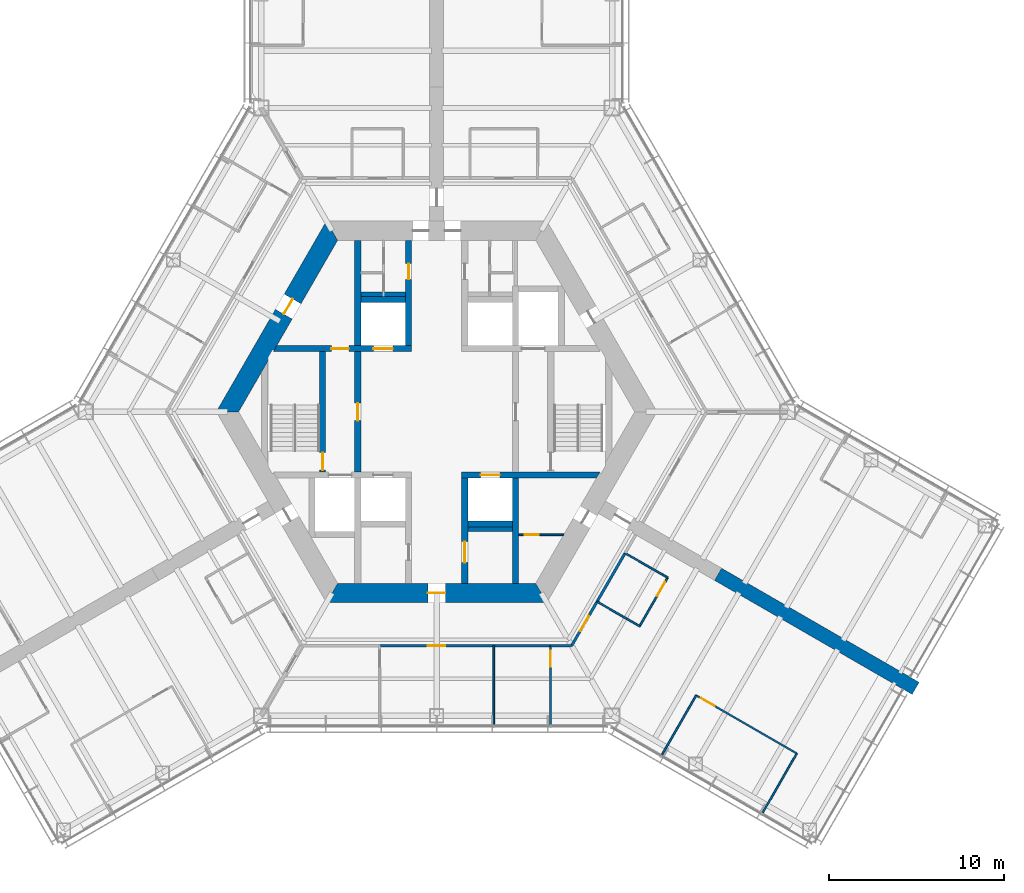
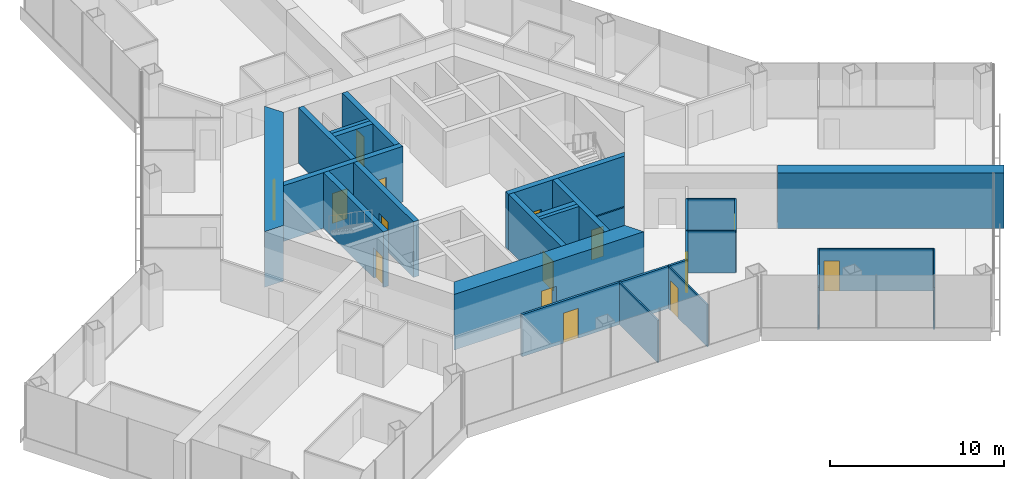
# One storey, part 13 of 19: 29 walls, 15 doors, 15 openings.
"""IFC4 building model written with IfcOpenShell, lengths in metres."""

from ifc_helpers import new_model, si_unit, direction, frame, frame_2d, origin, place, context, subcontext, project, spatial, polyline, rectangle, outline, extrude, material, layer, layer_set, type_object, element, fill, save


model = new_model("IFC4")

# Units and contexts
model_context = context("Model", 3, precision=1e-05, world=origin(), true_north=direction((0.0, 1.0)))
body_context = subcontext(model_context, "Body", "Model", "MODEL_VIEW")
ifc_project = project(units=[si_unit("LENGTHUNIT", "METRE"), si_unit("AREAUNIT", "SQUARE_METRE"), si_unit("VOLUMEUNIT", "CUBIC_METRE"), si_unit("PLANEANGLEUNIT", "RADIAN"), si_unit("MASSUNIT", "GRAM", prefix="KILO")], contexts=[model_context])

# Site, building, storey
site_placement = place(None, origin())
site = spatial("IfcSite", under=ifc_project, at=site_placement, CompositionType="ELEMENT")
building_placement = place(site_placement, origin())
building = spatial("IfcBuilding", under=site, at=building_placement, Name="Kasaneha Research Tower", CompositionType="ELEMENT")
storey_placement = place(building_placement, frame((0.0, 0.0, 92.39990234375)))
storey = spatial("IfcBuildingStorey", under=building, at=storey_placement, Name="L23", CompositionType="ELEMENT", Elevation=92.39990234375)

# Wall, openings, doors
ifc_material_1 = material(Name="Concrete Fc80", Category="concrete")
ifc_layer_1 = layer(ifc_material_1, 0.35009765625)
ifc_layer_set_1 = layer_set([ifc_layer_1], Name="Core internal wall 350 Fc80")
wall_type_1 = type_object("IfcWallType", Name="Core internal wall 350 Fc80", PredefinedType="SHEAR", material=ifc_layer_set_1)
wall_1_placement = place(storey_placement, frame((-9.208740234375, 3.60009765625, 0.0), z_axis=(0.0, 0.0, 1.0), x_axis=(1.0, 0.0, 0.0)))
wall_1 = element("IfcWall", 1, at=wall_1_placement, inside=storey, type_object=wall_type_1, Name="Core wall W1W L23", PredefinedType="SHEAR", context=body_context, shape_type="SweptSolid", body=[
    extrude(outline(polyline([(-0.10107421875, -0.175048828125), (3.208740234375, -0.175048828125), (4.208740234375, -0.175048828125), (5.608642578125, -0.175048828125), (6.708740234375, -0.175048828125), (7.78369140625, -0.175048828125), (7.78369140625, 0.175048828125), (6.708740234375, 0.175048828125), (5.608642578125, 0.175048828125), (4.208740234375, 0.175048828125), (3.208740234375, 0.175048828125), (0.10107421875, 0.175048828125), (-0.10107421875, -0.175048828125)])), origin(), (0.0, 0.0, 1.0), 3.900146484375),
])
opening_1_placement = place(wall_1_placement, frame((3.208740234375, 0.0, 0.0)))
opening_1 = element("IfcOpeningElement", 2, at=opening_1_placement, cuts=wall_1, Name="Opening L23-D12", PredefinedType="OPENING", context=body_context, shape_type="SweptSolid", body=[
    extrude(rectangle(XDim=1.0, YDim=2.10009765625, at=frame_2d((0.5, 1.050048828125))), frame((0.0, 0.18505859375, 0.0), z_axis=(0.0, -1.0, 0.0), x_axis=(1.0, 0.0, 0.0)), (0.0, 0.0, 1.0), 0.3701171875),
])
opening_2_placement = place(wall_1_placement, frame((5.608642578125, 0.0, 0.0)))
opening_2 = element("IfcOpeningElement", 3, at=opening_2_placement, cuts=wall_1, Name="Opening LD-LO1-L23", PredefinedType="OPENING", context=body_context, shape_type="SweptSolid", body=[
    extrude(rectangle(XDim=1.10009765625, YDim=2.10009765625, at=frame_2d((0.550048828125, 1.050048828125))), frame((0.0, 0.18505859375, 0.0), z_axis=(0.0, -1.0, 0.0), x_axis=(1.0, 0.0, 0.0)), (0.0, 0.0, 1.0), 0.3701171875),
])
ifc_material_2 = material(Name="Steel", Category="steel")
door_type_1 = type_object("IfcDoorType", Name="Lift landing door 1100x2100", OperationType="DOUBLE_DOOR_SLIDING", PredefinedType="DOOR", material=ifc_material_2)
door_1_placement = place(opening_2_placement, origin())
door_1 = element("IfcDoor", 4, at=door_1_placement, inside=storey, type_object=door_type_1, Name="Landing door LO1 LD-LO1-L23", OperationType="DOUBLE_DOOR_SLIDING", OverallHeight=2.10009765625, OverallWidth=1.10009765625, PredefinedType="DOOR", context=body_context, shape_type="SweptSolid", body=[
    extrude(rectangle(XDim=1.10009765625, YDim=2.10009765625, at=frame_2d((0.550048828125, 1.050048828125))), frame((0.0, 0.02490234375, 0.0), z_axis=(0.0, -1.0, 0.0), x_axis=(1.0, 0.0, 0.0)), (0.0, 0.0, 1.0), 0.050048828125),
])
fill(opening_2, door_1)
ifc_material_3 = material(Name="Steel", Category="steel")
door_type_2 = type_object("IfcDoorType", Name="Specified fire door FD60 1000x2100", OperationType="NOTDEFINED", PredefinedType="DOOR", material=ifc_material_3)
door_2_placement = place(opening_1_placement, origin())
door_2 = element("IfcDoor", 5, at=door_2_placement, inside=storey, type_object=door_type_2, Name="Vestibule to lobby door L23-D12", OperationType="SINGLE_SWING_RIGHT", OverallHeight=2.10009765625, OverallWidth=1.0, PredefinedType="DOOR", context=body_context, shape_type="SweptSolid", body=[
    extrude(rectangle(XDim=1.0, YDim=2.10009765625, at=frame_2d((0.5, 1.050048828125))), frame((0.0, 0.02490234375, 0.0), z_axis=(0.0, -1.0, 0.0), x_axis=(1.0, 0.0, 0.0)), (0.0, 0.0, 1.0), 0.050048828125),
])
fill(opening_1, door_2)

# Wall, opening, door
wall_2_placement = place(storey_placement, frame((1.425048828125, -3.60009765625, 0.0), z_axis=(0.0, 0.0, 1.0), x_axis=(1.0, 0.0, 0.0)))
wall_2 = element("IfcWall", 6, at=wall_2_placement, inside=storey, type_object=wall_type_1, Name="Core wall W2E L23", PredefinedType="SHEAR", context=body_context, shape_type="SweptSolid", body=[
    extrude(outline(polyline([(0.0, -0.175048828125), (1.074951171875, -0.175048828125), (2.175048828125, -0.175048828125), (7.6826171875, -0.175048828125), (7.884765625, 0.175048828125), (2.175048828125, 0.175048828125), (1.074951171875, 0.175048828125), (0.0, 0.175048828125), (0.0, -0.175048828125)])), origin(), (0.0, 0.0, 1.0), 3.900146484375),
])
opening_3_placement = place(wall_2_placement, frame((1.074951171875, 0.0, 0.0)))
opening_3 = element("IfcOpeningElement", 7, at=opening_3_placement, cuts=wall_2, Name="Opening LD-LO3-L23", PredefinedType="OPENING", context=body_context, shape_type="SweptSolid", body=[
    extrude(rectangle(XDim=1.10009765625, YDim=2.10009765625, at=frame_2d((0.550048828125, 1.050048828125))), frame((0.0, 0.18505859375, 0.0), z_axis=(0.0, -1.0, 0.0), x_axis=(1.0, 0.0, 0.0)), (0.0, 0.0, 1.0), 0.3701171875),
])
door_3_placement = place(opening_3_placement, origin())
door_3 = element("IfcDoor", 8, at=door_3_placement, inside=storey, type_object=door_type_1, Name="Landing door LO3 LD-LO3-L23", OperationType="DOUBLE_DOOR_SLIDING", OverallHeight=2.10009765625, OverallWidth=1.10009765625, PredefinedType="DOOR", context=body_context, shape_type="SweptSolid", body=[
    extrude(rectangle(XDim=1.10009765625, YDim=2.10009765625, at=frame_2d((0.550048828125, 1.050048828125))), frame((0.0, 0.02490234375, 0.0), z_axis=(0.0, -1.0, 0.0), x_axis=(1.0, 0.0, 0.0)), (0.0, 0.0, 1.0), 0.050048828125),
])
fill(opening_3, door_3)

wall_3_placement = place(storey_placement, frame((-1.60009765625, 3.77490234375, 0.0), z_axis=(0.0, 0.0, 1.0), x_axis=(0.0, 1.0, 0.0)))
wall_3 = element("IfcWall", 9, at=wall_3_placement, inside=storey, type_object=wall_type_1, Name="Core wall CNW L23", PredefinedType="SHEAR", context=body_context, shape_type="SweptSolid", body=[
    extrude(rectangle(XDim=6.0, YDim=0.35009765625, at=frame_2d((3.0, 0.0))), origin(), (0.0, 0.0, 1.0), 3.900146484375),
])
opening_4_placement = place(wall_3_placement, frame((3.77490234375, 0.0, 0.0)))
opening_4 = element("IfcOpeningElement", 10, at=opening_4_placement, cuts=wall_3, Name="Opening L23-D13", PredefinedType="OPENING", context=body_context, shape_type="SweptSolid", body=[
    extrude(rectangle(XDim=0.89990234375, YDim=2.10009765625, at=frame_2d((0.449951171875, 1.050048828125))), frame((0.0, 0.18505859375, 0.0), z_axis=(0.0, -1.0, 0.0), x_axis=(1.0, 0.0, 0.0)), (0.0, 0.0, 1.0), 0.3701171875),
])
ifc_material_4 = material(Name="Steel", Category="steel")
door_type_3 = type_object("IfcDoorType", Name="Toilet door FD20 900x2100", OperationType="NOTDEFINED", PredefinedType="DOOR", material=ifc_material_4)
door_4_placement = place(opening_4_placement, origin())
door_4 = element("IfcDoor", 11, at=door_4_placement, inside=storey, type_object=door_type_3, Name="Men's WC door L23-D13", OperationType="SINGLE_SWING_LEFT", OverallHeight=2.10009765625, OverallWidth=0.89990234375, PredefinedType="DOOR", context=body_context, shape_type="SweptSolid", body=[
    extrude(rectangle(XDim=0.89990234375, YDim=2.10009765625, at=frame_2d((0.449951171875, 1.050048828125))), frame((0.0, 0.02490234375, 0.0), z_axis=(0.0, -1.0, 0.0), x_axis=(1.0, 0.0, 0.0)), (0.0, 0.0, 1.0), 0.050048828125),
])
fill(opening_4, door_4)

wall_4_placement = place(storey_placement, frame((1.60009765625, -3.77490234375, 0.0), z_axis=(0.0, 0.0, 1.0), x_axis=(0.0, -1.0, 0.0)))
wall_4 = element("IfcWall", 12, at=wall_4_placement, inside=storey, type_object=wall_type_1, Name="Core wall CSE L23", PredefinedType="SHEAR", context=body_context, shape_type="SweptSolid", body=[
    extrude(rectangle(XDim=6.0, YDim=0.35009765625, at=frame_2d((3.0, 0.0))), origin(), (0.0, 0.0, 1.0), 3.900146484375),
])
opening_5_placement = place(wall_4_placement, frame((3.625, 0.0, 0.0)))
opening_5 = element("IfcOpeningElement", 13, at=opening_5_placement, cuts=wall_4, Name="Opening L23-D15", PredefinedType="OPENING", context=body_context, shape_type="SweptSolid", body=[
    extrude(rectangle(XDim=1.199951171875, YDim=2.10009765625, at=frame_2d((0.60009765625, 1.050048828125))), frame((0.0, 0.18505859375, 0.0), z_axis=(0.0, -1.0, 0.0), x_axis=(1.0, 0.0, 0.0)), (0.0, 0.0, 1.0), 0.3701171875),
])
ifc_material_5 = material(Name="Steel", Category="steel")
door_type_4 = type_object("IfcDoorType", Name="Accessible toilet sliding door FD20 1200x2100", OperationType="SLIDING_TO_LEFT", PredefinedType="DOOR", material=ifc_material_5)
door_5_placement = place(opening_5_placement, origin())
door_5 = element("IfcDoor", 14, at=door_5_placement, inside=storey, type_object=door_type_4, Name="Accessible WC door L23-D15", OperationType="SLIDING_TO_LEFT", OverallHeight=2.10009765625, OverallWidth=1.199951171875, PredefinedType="DOOR", context=body_context, shape_type="SweptSolid", body=[
    extrude(rectangle(XDim=1.199951171875, YDim=2.10009765625, at=frame_2d((0.60009765625, 1.050048828125))), frame((0.0, 0.02490234375, 0.0), z_axis=(0.0, -1.0, 0.0), x_axis=(1.0, 0.0, 0.0)), (0.0, 0.0, 1.0), 0.050048828125),
])
fill(opening_5, door_5)

wall_5_placement = place(storey_placement, frame((-4.5, -3.425048828125, 0.0), z_axis=(0.0, 0.0, 1.0), x_axis=(0.0, 1.0, 0.0)))
wall_5 = element("IfcWall", 15, at=wall_5_placement, inside=storey, type_object=wall_type_1, Name="Core wall LBW L23", PredefinedType="SHEAR", context=body_context, shape_type="SweptSolid", body=[
    extrude(rectangle(XDim=6.85009765625, YDim=0.35009765625, at=frame_2d((3.425048828125, 0.0))), origin(), (0.0, 0.0, 1.0), 3.900146484375),
])
opening_6_placement = place(wall_5_placement, frame((2.925048828125, 0.0, 0.0)))
opening_6 = element("IfcOpeningElement", 16, at=opening_6_placement, cuts=wall_5, Name="Opening L23-D09", PredefinedType="OPENING", context=body_context, shape_type="SweptSolid", body=[
    extrude(rectangle(XDim=1.0, YDim=2.10009765625, at=frame_2d((0.5, 1.050048828125))), frame((0.0, 0.18505859375, 0.0), z_axis=(0.0, -1.0, 0.0), x_axis=(1.0, 0.0, 0.0)), (0.0, 0.0, 1.0), 0.3701171875),
])
door_6_placement = place(opening_6_placement, origin())
door_6 = element("IfcDoor", 17, at=door_6_placement, inside=storey, type_object=door_type_2, Name="Lift lobby door west L23-D09", OperationType="SINGLE_SWING_LEFT", OverallHeight=2.10009765625, OverallWidth=1.0, PredefinedType="DOOR", context=body_context, shape_type="SweptSolid", body=[
    extrude(rectangle(XDim=1.0, YDim=2.10009765625, at=frame_2d((0.5, 1.050048828125))), frame((0.0, 0.02490234375, 0.0), z_axis=(0.0, -1.0, 0.0), x_axis=(1.0, 0.0, 0.0)), (0.0, 0.0, 1.0), 0.050048828125),
])
fill(opening_6, door_6)

wall_6_placement = place(storey_placement, frame((-6.5, -3.425048828125, 0.0), z_axis=(0.0, 0.0, 1.0), x_axis=(0.0, 1.0, 0.0)))
wall_6 = element("IfcWall", 18, at=wall_6_placement, inside=storey, type_object=wall_type_1, Name="Core wall ANW L23", PredefinedType="SHEAR", context=body_context, shape_type="SweptSolid", body=[
    extrude(rectangle(XDim=6.85009765625, YDim=0.35009765625, at=frame_2d((3.425048828125, 0.0))), origin(), (0.0, 0.0, 1.0), 3.900146484375),
])
opening_7_placement = place(wall_6_placement, frame((0.10009765625, 0.0, 0.0)))
opening_7 = element("IfcOpeningElement", 19, at=opening_7_placement, cuts=wall_6, Name="Opening L23-D11", PredefinedType="OPENING", context=body_context, shape_type="SweptSolid", body=[
    extrude(rectangle(XDim=1.0, YDim=2.10009765625, at=frame_2d((0.5, 1.050048828125))), frame((0.0, 0.18505859375, 0.0), z_axis=(0.0, -1.0, 0.0), x_axis=(1.0, 0.0, 0.0)), (0.0, 0.0, 1.0), 0.3701171875),
])
door_7_placement = place(opening_7_placement, origin())
door_7 = element("IfcDoor", 20, at=door_7_placement, inside=storey, type_object=door_type_2, Name="Stair 2 door L23-D11", OperationType="SINGLE_SWING_LEFT", OverallHeight=2.10009765625, OverallWidth=1.0, PredefinedType="DOOR", context=body_context, shape_type="SweptSolid", body=[
    extrude(rectangle(XDim=1.0, YDim=2.10009765625, at=frame_2d((0.5, 1.050048828125))), frame((0.0, 0.02490234375, 0.0), z_axis=(0.0, -1.0, 0.0), x_axis=(1.0, 0.0, 0.0)), (0.0, 0.0, 1.0), 0.050048828125),
])
fill(opening_7, door_7)

# Walls
for number, where, z_axis, x_axis, name in (
    (21, (-4.5, 3.77490234375, 0.0), (0.0, 0.0, 1.0), (0.0, 1.0, 0.0), "Core wall VNW L23"),
    (22, (4.5, -3.77490234375, 0.0), (0.0, 0.0, 1.0), (0.0, -1.0, 0.0), "Core wall SSE L23"),
):
    element("IfcWall", number, at=place(storey_placement, frame(where, z_axis=z_axis, x_axis=x_axis)), inside=storey, type_object=wall_type_1, Name=name, PredefinedType="SHEAR", context=body_context, shape_type="SweptSolid", body=[
        extrude(rectangle(XDim=6.0, YDim=0.35009765625, at=frame_2d((3.0, 0.0))), origin(), (0.0, 0.0, 1.0), 3.900146484375),
    ])
for number, where, z_axis, x_axis, name in (
    (23, (-4.324951171875, 6.39990234375, 0.0), (0.0, 0.0, 1.0), (1.0, 0.0, 0.0), "Core wall N1N L23"),
    (24, (1.77490234375, -6.39990234375, 0.0), (0.0, 0.0, 1.0), (1.0, 0.0, 0.0), "Core wall S3S L23"),
):
    element("IfcWall", number, at=place(storey_placement, frame(where, z_axis=z_axis, x_axis=x_axis)), inside=storey, type_object=wall_type_1, Name=name, PredefinedType="SHEAR", context=body_context, shape_type="SweptSolid", body=[
        extrude(rectangle(XDim=2.550048828125, YDim=0.35009765625, at=frame_2d((1.27490234375, 0.0))), origin(), (0.0, 0.0, 1.0), 3.900146484375),
    ])

# Wall, opening, door
ifc_material_6 = material(Name="Concrete Fc80", Category="concrete")
ifc_layer_2 = layer(ifc_material_6, 1.10009765625)
ifc_layer_set_2 = layer_set([ifc_layer_2], Name="Core wall 1100 Fc80")
wall_type_2 = type_object("IfcWallType", Name="Core wall 1100 Fc80", PredefinedType="SHEAR", material=ifc_layer_set_2)
wall_7_placement = place(storey_placement, frame((-5.961181640625, 10.324951171875, 0.0), z_axis=(0.0, 0.0, 1.0), x_axis=(-0.500004296715, -0.866022923061, 0.0)))
wall_7 = element("IfcWall", 25, at=wall_7_placement, inside=storey, type_object=wall_type_2, Name="Core wall 150 L23", PredefinedType="SHEAR", context=body_context, shape_type="SweptSolid", body=[
    extrude(outline(polyline([(-0.317626953125, -0.550048828125), (4.494140625, -0.550048828125), (5.494140625, -0.550048828125), (12.239990234375, -0.550048828125), (11.604736328125, 0.550048828125), (5.494140625, 0.550048828125), (4.494140625, 0.550048828125), (0.317626953125, 0.550048828125), (-0.317626953125, -0.550048828125)])), origin(), (0.0, 0.0, 1.0), 3.900146484375),
])
opening_8_placement = place(wall_7_placement, frame((4.494140625, 0.0, 0.0)))
opening_8 = element("IfcOpeningElement", 26, at=opening_8_placement, cuts=wall_7, Name="Opening L23-D07", PredefinedType="OPENING", context=body_context, shape_type="SweptSolid", body=[
    extrude(rectangle(XDim=1.0, YDim=2.10009765625, at=frame_2d((0.5, 1.050048828125))), frame((0.0, 0.56005859375, 0.0), z_axis=(0.0, -1.0, 0.0), x_axis=(1.0, 0.0, 0.0)), (0.0, 0.0, 1.0), 1.1201171875),
])
ifc_material_7 = material(Name="Steel", Category="steel")
door_type_5 = type_object("IfcDoorType", Name="Fire door FD20 1000x2100", OperationType="NOTDEFINED", PredefinedType="DOOR", material=ifc_material_7)
door_8_placement = place(opening_8_placement, origin())
door_8 = element("IfcDoor", 27, at=door_8_placement, inside=storey, type_object=door_type_5, Name="Vestibule door L23-D07", OperationType="SINGLE_SWING_LEFT", OverallHeight=2.10009765625, OverallWidth=1.0, PredefinedType="DOOR", context=body_context, shape_type="SweptSolid", body=[
    extrude(rectangle(XDim=1.0, YDim=2.10009765625, at=frame_2d((0.5, 1.050048828125))), frame((0.0, 0.02490234375, 0.0), z_axis=(0.0, -1.0, 0.0), x_axis=(1.0, 0.0, 0.0)), (0.0, 0.0, 1.0), 0.050048828125),
])
fill(opening_8, door_8)

wall_8_placement = place(storey_placement, frame((-5.961181640625, -10.324951171875, 0.0), z_axis=(0.0, 0.0, 1.0), x_axis=(1.0, 0.0, 0.0)))
wall_8 = element("IfcWall", 28, at=wall_8_placement, inside=storey, type_object=wall_type_2, Name="Core wall 270 L23", PredefinedType="SHEAR", context=body_context, shape_type="SweptSolid", body=[
    extrude(outline(polyline([(-0.317626953125, -0.550048828125), (5.461181640625, -0.550048828125), (6.461181640625, -0.550048828125), (12.239990234375, -0.550048828125), (11.604736328125, 0.550048828125), (6.461181640625, 0.550048828125), (5.461181640625, 0.550048828125), (0.317626953125, 0.550048828125), (-0.317626953125, -0.550048828125)])), origin(), (0.0, 0.0, 1.0), 3.900146484375),
])
opening_9_placement = place(wall_8_placement, frame((5.461181640625, 0.0, 0.0)))
opening_9 = element("IfcOpeningElement", 29, at=opening_9_placement, cuts=wall_8, Name="Opening L23-D03", PredefinedType="OPENING", context=body_context, shape_type="SweptSolid", body=[
    extrude(rectangle(XDim=1.0, YDim=2.10009765625, at=frame_2d((0.5, 1.050048828125))), frame((0.0, 0.56005859375, 0.0), z_axis=(0.0, -1.0, 0.0), x_axis=(1.0, 0.0, 0.0)), (0.0, 0.0, 1.0), 1.1201171875),
])
door_9_placement = place(opening_9_placement, origin())
door_9 = element("IfcDoor", 30, at=door_9_placement, inside=storey, type_object=door_type_5, Name="Core door south L23-D03", OperationType="SINGLE_SWING_LEFT", OverallHeight=2.10009765625, OverallWidth=1.0, PredefinedType="DOOR", context=body_context, shape_type="SweptSolid", body=[
    extrude(rectangle(XDim=1.0, YDim=2.10009765625, at=frame_2d((0.5, 1.050048828125))), frame((0.0, 0.02490234375, 0.0), z_axis=(0.0, -1.0, 0.0), x_axis=(1.0, 0.0, 0.0)), (0.0, 0.0, 1.0), 0.050048828125),
])
fill(opening_9, door_9)

ifc_material_8 = material(Name="Gypsum board on steel studs, one layer each side", Category="steel")
ifc_layer_3 = layer(ifc_material_8, 0.10009765625)
ifc_layer_set_3 = layer_set([ifc_layer_3], Name="Office partition 100")
wall_type_3 = type_object("IfcWallType", Name="Office partition 100", PredefinedType="PARTITIONING", material=ifc_layer_set_3)
wall_9_placement = place(storey_placement, frame((4.675048828125, -7.0, 0.0), z_axis=(0.0, 0.0, 1.0), x_axis=(1.0, 0.0, 0.0)))
wall_9 = element("IfcWall", 31, at=wall_9_placement, inside=storey, type_object=wall_type_3, Name="Office partition RS-SE L23", PredefinedType="PARTITIONING", context=body_context, shape_type="SweptSolid", body=[
    extrude(outline(polyline([(0.0, -0.050048828125), (0.35009765625, -0.050048828125), (1.150146484375, -0.050048828125), (2.5419921875, -0.050048828125), (2.57080078125, 0.0), (2.57666015625, 0.050048828125), (1.150146484375, 0.050048828125), (0.35009765625, 0.050048828125), (0.0, 0.050048828125), (0.0, -0.050048828125)])), origin(), (0.0, 0.0, 1.0), 2.9501953125),
])
opening_10_placement = place(wall_9_placement, frame((0.35009765625, 0.0, 0.0)))
opening_10 = element("IfcOpeningElement", 32, at=opening_10_placement, cuts=wall_9, Name="Opening L23-D24", PredefinedType="OPENING", context=body_context, shape_type="SweptSolid", body=[
    extrude(rectangle(XDim=0.800048828125, YDim=2.10009765625, at=frame_2d((0.39990234375, 1.050048828125))), frame((0.0, 0.06005859375, 0.0), z_axis=(0.0, -1.0, 0.0), x_axis=(1.0, 0.0, 0.0)), (0.0, 0.0, 1.0), 0.1201171875),
])
ifc_material_9 = material(Name="Steel", Category="steel")
door_type_6 = type_object("IfcDoorType", Name="Riser access door FD60 800x2100", OperationType="NOTDEFINED", PredefinedType="DOOR", material=ifc_material_9)
door_10_placement = place(opening_10_placement, origin())
door_10 = element("IfcDoor", 33, at=door_10_placement, inside=storey, type_object=door_type_6, Name="Drainage riser door L23-D24", OperationType="SINGLE_SWING_LEFT", OverallHeight=2.10009765625, OverallWidth=0.800048828125, PredefinedType="DOOR", context=body_context, shape_type="SweptSolid", body=[
    extrude(rectangle(XDim=0.800048828125, YDim=2.10009765625, at=frame_2d((0.39990234375, 1.050048828125))), frame((0.0, 0.02490234375, 0.0), z_axis=(0.0, -1.0, 0.0), x_axis=(1.0, 0.0, 0.0)), (0.0, 0.0, 1.0), 0.050048828125),
])
fill(opening_10, door_10)

# Walls
for number, where, z_axis, x_axis, name in (
    (34, (10.737548828125, -8.052001953125, 0.0), (0.0, 0.0, 1.0), (0.866855433567, -0.498559582492, 0.0), "Office partition FCS08 L23"),
    (35, (11.564697265625, -12.219482421875, 0.0), (0.0, 0.0, 1.0), (-0.865195372903, 0.501434907746, 0.0), "Office partition FCS09 L23"),
):
    element("IfcWall", number, at=place(storey_placement, frame(where, z_axis=z_axis, x_axis=x_axis)), inside=storey, type_object=wall_type_3, Name=name, PredefinedType="PARTITIONING", context=body_context, shape_type="SweptSolid", body=[
        extrude(rectangle(XDim=2.800048828125, YDim=0.10009765625, at=frame_2d((1.39990234375, 0.0))), origin(), (0.0, 0.0, 1.0), 2.9501953125),
    ])

# Wall, opening, door
wall_10_placement = place(storey_placement, frame((13.164794921875, -9.447998046875, 0.0), z_axis=(0.0, 0.0, 1.0), x_axis=(-0.499995408039, -0.866028054938, 0.0)))
wall_10 = element("IfcWall", 36, at=wall_10_placement, inside=storey, type_object=wall_type_3, Name="Office partition FCS10 L23", PredefinedType="PARTITIONING", context=body_context, shape_type="SweptSolid", body=[
    extrude(rectangle(XDim=3.2001953125, YDim=0.10009765625, at=frame_2d((1.60009765625, 0.0))), origin(), (0.0, 0.0, 1.0), 2.9501953125),
])
opening_11_placement = place(wall_10_placement, frame((0.300048828125, 0.0, 0.0)))
opening_11 = element("IfcOpeningElement", 37, at=opening_11_placement, cuts=wall_10, Name="Opening L23-D53", PredefinedType="OPENING", context=body_context, shape_type="SweptSolid", body=[
    extrude(rectangle(XDim=0.89990234375, YDim=2.10009765625, at=frame_2d((0.449951171875, 1.050048828125))), frame((0.0, 0.06005859375, 0.0), z_axis=(0.0, -1.0, 0.0), x_axis=(1.0, 0.0, 0.0)), (0.0, 0.0, 1.0), 0.1201171875),
])
ifc_material_10 = material(Name="Timber veneer", Category="wood")
door_type_7 = type_object("IfcDoorType", Name="Office door 900x2100", OperationType="SINGLE_SWING_LEFT", PredefinedType="DOOR", material=ifc_material_10)
door_11_placement = place(opening_11_placement, origin())
door_11 = element("IfcDoor", 38, at=door_11_placement, inside=storey, type_object=door_type_7, Name="Pantry door L23-D53", OperationType="SINGLE_SWING_LEFT", OverallHeight=2.10009765625, OverallWidth=0.89990234375, PredefinedType="DOOR", context=body_context, shape_type="SweptSolid", body=[
    extrude(rectangle(XDim=0.89990234375, YDim=2.10009765625, at=frame_2d((0.449951171875, 1.050048828125))), frame((0.0, 0.02490234375, 0.0), z_axis=(0.0, -1.0, 0.0), x_axis=(1.0, 0.0, 0.0)), (0.0, 0.0, 1.0), 0.050048828125),
])
fill(opening_11, door_11)

wall_11_placement = place(storey_placement, frame((6.48828125, -13.324951171875, 0.0), z_axis=(0.0, 0.0, 1.0), x_axis=(0.001026139015, -0.999999473519, 0.0)))
wall_11 = element("IfcWall", 39, at=wall_11_placement, inside=storey, type_object=wall_type_3, Name="Office partition FCS12 L23", PredefinedType="PARTITIONING", context=body_context, shape_type="SweptSolid", body=[
    extrude(rectangle(XDim=4.5205078125, YDim=0.10009765625, at=frame_2d((2.26025390625, 0.0))), origin(), (0.0, 0.0, 1.0), 2.9501953125),
])
opening_12_placement = place(wall_11_placement, frame((0.300048828125, 0.0, 0.0)))
opening_12 = element("IfcOpeningElement", 40, at=opening_12_placement, cuts=wall_11, Name="Opening L23-D55", PredefinedType="OPENING", context=body_context, shape_type="SweptSolid", body=[
    extrude(rectangle(XDim=0.89990234375, YDim=2.10009765625, at=frame_2d((0.449951171875, 1.050048828125))), frame((0.0, 0.06005859375, 0.0), z_axis=(0.0, -1.0, 0.0), x_axis=(1.0, 0.0, 0.0)), (0.0, 0.0, 1.0), 0.1201171875),
])
door_12_placement = place(opening_12_placement, origin())
door_12 = element("IfcDoor", 41, at=door_12_placement, inside=storey, type_object=door_type_7, Name="Manager's office door L23-D55", OperationType="SINGLE_SWING_LEFT", OverallHeight=2.10009765625, OverallWidth=0.89990234375, PredefinedType="DOOR", context=body_context, shape_type="SweptSolid", body=[
    extrude(rectangle(XDim=0.89990234375, YDim=2.10009765625, at=frame_2d((0.449951171875, 1.050048828125))), frame((0.0, 0.02490234375, 0.0), z_axis=(0.0, -1.0, 0.0), x_axis=(1.0, 0.0, 0.0)), (0.0, 0.0, 1.0), 0.050048828125),
])
fill(opening_12, door_12)

# Walls
wall_12_placement = place(storey_placement, frame((3.246337890625, -17.800537109375, 0.0), z_axis=(0.0, 0.0, 1.0), x_axis=(0.001036438457, 0.999999462898, 0.0)))
element("IfcWall", 42, at=wall_12_placement, inside=storey, type_object=wall_type_3, Name="Office partition FCS13 L23", PredefinedType="PARTITIONING", context=body_context, shape_type="SweptSolid", body=[
    extrude(rectangle(XDim=4.4755859375, YDim=0.10009765625, at=frame_2d((2.23779296875, 0.0))), origin(), (0.0, 0.0, 1.0), 2.9501953125),
])
wall_13_placement = place(storey_placement, frame((12.84228515625, -19.538818359375, 0.0), z_axis=(0.0, 0.0, 1.0), x_axis=(0.499997012787, 0.866027128446, 0.0)))
element("IfcWall", 43, at=wall_13_placement, inside=storey, type_object=wall_type_3, Name="Office partition FCS14 L23", PredefinedType="PARTITIONING", context=body_context, shape_type="SweptSolid", body=[
    extrude(rectangle(XDim=3.89990234375, YDim=0.10009765625, at=frame_2d((1.949951171875, 0.0))), origin(), (0.0, 0.0, 1.0), 2.9501953125),
])

# Wall, opening, door
wall_14_placement = place(storey_placement, frame((14.792236328125, -16.161376953125, 0.0), z_axis=(0.0, 0.0, 1.0), x_axis=(0.866021597574, -0.500006592492, 0.0)))
wall_14 = element("IfcWall", 44, at=wall_14_placement, inside=storey, type_object=wall_type_3, Name="Office partition FCS15 L23", PredefinedType="PARTITIONING", context=body_context, shape_type="SweptSolid", body=[
    extrude(rectangle(XDim=6.61962890625, YDim=0.10009765625, at=frame_2d((3.309814453125, 0.0))), origin(), (0.0, 0.0, 1.0), 2.9501953125),
])
opening_13_placement = place(wall_14_placement, frame((0.300048828125, 0.0, 0.0)))
opening_13 = element("IfcOpeningElement", 45, at=opening_13_placement, cuts=wall_14, Name="Opening L23-D56", PredefinedType="OPENING", context=body_context, shape_type="SweptSolid", body=[
    extrude(rectangle(XDim=0.89990234375, YDim=2.10009765625, at=frame_2d((0.449951171875, 1.050048828125))), frame((0.0, 0.06005859375, 0.0), z_axis=(0.0, -1.0, 0.0), x_axis=(1.0, 0.0, 0.0)), (0.0, 0.0, 1.0), 0.1201171875),
])
door_13_placement = place(opening_13_placement, origin())
door_13 = element("IfcDoor", 46, at=door_13_placement, inside=storey, type_object=door_type_7, Name="Manager's office door L23-D56", OperationType="SINGLE_SWING_LEFT", OverallHeight=2.10009765625, OverallWidth=0.89990234375, PredefinedType="DOOR", context=body_context, shape_type="SweptSolid", body=[
    extrude(rectangle(XDim=0.89990234375, YDim=2.10009765625, at=frame_2d((0.449951171875, 1.050048828125))), frame((0.0, 0.02490234375, 0.0), z_axis=(0.0, -1.0, 0.0), x_axis=(1.0, 0.0, 0.0)), (0.0, 0.0, 1.0), 0.050048828125),
])
fill(opening_13, door_13)

# Walls
wall_15_placement = place(storey_placement, frame((20.52490234375, -19.47119140625, 0.0), z_axis=(0.0, 0.0, 1.0), x_axis=(-0.499996613652, -0.866027358884, 0.0)))
element("IfcWall", 47, at=wall_15_placement, inside=storey, type_object=wall_type_3, Name="Office partition FCS16 L23", PredefinedType="PARTITIONING", context=body_context, shape_type="SweptSolid", body=[
    extrude(rectangle(XDim=3.8798828125, YDim=0.10009765625, at=frame_2d((1.93994140625, 0.0))), origin(), (0.0, 0.0, 1.0), 2.9501953125),
])
ifc_material_11 = material(Name="Concrete Fc80", Category="concrete")
ifc_layer_4 = layer(ifc_material_11, 0.800048828125)
ifc_layer_set_4 = layer_set([ifc_layer_4], Name="Spine wall 800 Fc80")
wall_type_4 = type_object("IfcWallType", Name="Spine wall 800 Fc80", PredefinedType="SHEAR", material=ifc_layer_set_4)
wall_16_placement = place(storey_placement, frame((16.039306640625, -9.26025390625, 0.0), z_axis=(0.0, 0.0, 1.0), x_axis=(0.866024837091, -0.50000098154, 0.0)))
element("IfcWall", 48, at=wall_16_placement, inside=storey, type_object=wall_type_4, Name="Spine wall C wing L23", PredefinedType="SHEAR", context=body_context, shape_type="SweptSolid", body=[
    extrude(rectangle(XDim=13.0, YDim=0.800048828125, at=frame_2d((6.5, 0.0))), origin(), (0.0, 0.0, 1.0), 3.900146484375),
])
ifc_material_12 = material(Name="Gypsum board on steel studs, two layers each side", Category="steel")
ifc_layer_5 = layer(ifc_material_12, 0.14990234375)
ifc_layer_set_5 = layer_set([ifc_layer_5], Name="Suite partition 150")
wall_type_5 = type_object("IfcWallType", Name="Suite partition 150", PredefinedType="PARTITIONING", material=ifc_layer_set_5)
wall_17_placement = place(storey_placement, frame((10.7421875, -8.043701171875, 0.0), z_axis=(0.0, 0.0, 1.0), x_axis=(-0.499983599745, -0.866034872269, 0.0)))
element("IfcWall", 49, at=wall_17_placement, inside=storey, type_object=wall_type_5, Name="Suite partition FCS01 L23", PredefinedType="PARTITIONING", context=body_context, shape_type="SweptSolid", body=[
    extrude(rectangle(XDim=3.2099609375, YDim=0.14990234375, at=frame_2d((1.60498046875, 0.0))), origin(), (0.0, 0.0, 1.0), 2.9501953125),
])
wall_18_placement = place(storey_placement, frame((6.497802734375, -13.324951171875, 0.0), z_axis=(0.0, 0.0, 1.0), x_axis=(-1.0, 0.0, 0.0)))
element("IfcWall", 50, at=wall_18_placement, inside=storey, type_object=wall_type_5, Name="Suite partition FCS03 L23", PredefinedType="PARTITIONING", context=body_context, shape_type="SweptSolid", body=[
    extrude(rectangle(XDim=3.25634765625, YDim=0.14990234375, at=frame_2d((1.628173828125, 0.0))), origin(), (0.0, 0.0, 1.0), 2.9501953125),
])
wall_19_placement = place(storey_placement, frame((7.693115234375, -13.324951171875, 0.0), z_axis=(0.0, 0.0, 1.0), x_axis=(-1.0, 0.0, 0.0)))
element("IfcWall", 51, at=wall_19_placement, inside=storey, type_object=wall_type_5, Name="Suite partition FCS04 L23", PredefinedType="PARTITIONING", context=body_context, shape_type="SweptSolid", body=[
    extrude(rectangle(XDim=1.204833984375, YDim=0.14990234375, at=frame_2d((0.6025390625, 0.0))), origin(), (0.0, 0.0, 1.0), 2.9501953125),
])

# Wall, opening, door
wall_20_placement = place(storey_placement, frame((9.14208984375, -10.8154296875, 0.0), z_axis=(0.0, 0.0, 1.0), x_axis=(-0.500026322743, -0.866010205808, 0.0)))
wall_20 = element("IfcWall", 52, at=wall_20_placement, inside=storey, type_object=wall_type_5, Name="Suite partition FCS05 L23", PredefinedType="PARTITIONING", context=body_context, shape_type="SweptSolid", body=[
    extrude(rectangle(XDim=2.897705078125, YDim=0.14990234375, at=frame_2d((1.44873046875, 0.0))), origin(), (0.0, 0.0, 1.0), 2.9501953125),
])
opening_14_placement = place(wall_20_placement, frame((0.94873046875, 0.0, 0.0)))
opening_14 = element("IfcOpeningElement", 53, at=opening_14_placement, cuts=wall_20, Name="Opening L23-D51", PredefinedType="OPENING", context=body_context, shape_type="SweptSolid", body=[
    extrude(rectangle(XDim=1.0, YDim=2.10009765625, at=frame_2d((0.5, 1.050048828125))), frame((0.0, 0.0849609375, 0.0), z_axis=(0.0, -1.0, 0.0), x_axis=(1.0, 0.0, 0.0)), (0.0, 0.0, 1.0), 0.169921875),
])
ifc_material_13 = material(Name="Steel", Category="steel")
door_type_8 = type_object("IfcDoorType", Name="Suite entrance door FD60 1000x2100", OperationType="NOTDEFINED", PredefinedType="DOOR", material=ifc_material_13)
door_14_placement = place(opening_14_placement, origin())
door_14 = element("IfcDoor", 54, at=door_14_placement, inside=storey, type_object=door_type_8, Name="Suite entrance door L23-D51", OperationType="SINGLE_SWING_LEFT", OverallHeight=2.10009765625, OverallWidth=1.0, PredefinedType="DOOR", context=body_context, shape_type="SweptSolid", body=[
    extrude(rectangle(XDim=1.0, YDim=2.10009765625, at=frame_2d((0.5, 1.050048828125))), frame((0.0, 0.02490234375, 0.0), z_axis=(0.0, -1.0, 0.0), x_axis=(1.0, 0.0, 0.0)), (0.0, 0.0, 1.0), 0.050048828125),
])
fill(opening_14, door_14)

wall_21_placement = place(storey_placement, frame((3.2509765625, -13.324951171875, 0.0), z_axis=(0.0, 0.0, 1.0), x_axis=(-1.0, 0.0, 0.0)))
wall_21 = element("IfcWall", 55, at=wall_21_placement, inside=storey, type_object=wall_type_5, Name="Suite partition FCS07 L23", PredefinedType="PARTITIONING", context=body_context, shape_type="SweptSolid", body=[
    extrude(rectangle(XDim=6.501953125, YDim=0.14990234375, at=frame_2d((3.2509765625, 0.0))), origin(), (0.0, 0.0, 1.0), 2.9501953125),
])
opening_15_placement = place(wall_21_placement, frame((2.7509765625, 0.0, 0.0)))
opening_15 = element("IfcOpeningElement", 56, at=opening_15_placement, cuts=wall_21, Name="Opening L23-D52", PredefinedType="OPENING", context=body_context, shape_type="SweptSolid", body=[
    extrude(rectangle(XDim=1.0, YDim=2.10009765625, at=frame_2d((0.5, 1.050048828125))), frame((0.0, 0.0849609375, 0.0), z_axis=(0.0, -1.0, 0.0), x_axis=(1.0, 0.0, 0.0)), (0.0, 0.0, 1.0), 0.169921875),
])
door_15_placement = place(opening_15_placement, origin())
door_15 = element("IfcDoor", 57, at=door_15_placement, inside=storey, type_object=door_type_8, Name="Suite entrance door L23-D52", OperationType="SINGLE_SWING_LEFT", OverallHeight=2.10009765625, OverallWidth=1.0, PredefinedType="DOOR", context=body_context, shape_type="SweptSolid", body=[
    extrude(rectangle(XDim=1.0, YDim=2.10009765625, at=frame_2d((0.5, 1.050048828125))), frame((0.0, 0.02490234375, 0.0), z_axis=(0.0, -1.0, 0.0), x_axis=(1.0, 0.0, 0.0)), (0.0, 0.0, 1.0), 0.050048828125),
])
fill(opening_15, door_15)

# Walls
ifc_material_14 = material(Name="Concrete block lining", Category="concrete")
ifc_layer_6 = layer(ifc_material_14, 0.25)
ifc_layer_set_6 = layer_set([ifc_layer_6], Name="WC plumbing wall 250")
wall_type_6 = type_object("IfcWallType", Name="WC plumbing wall 250", PredefinedType="PLUMBINGWALL", material=ifc_layer_set_6)
for number, where, z_axis, x_axis, name in (
    (58, (-4.324951171875, 6.699951171875, 0.0), (0.0, 0.0, 1.0), (1.0, 0.0, 0.0), "WC plumbing wall M L23"),
    (59, (1.77490234375, -6.699951171875, 0.0), (0.0, 0.0, 1.0), (1.0, 0.0, 0.0), "WC plumbing wall A L23"),
):
    element("IfcWall", number, at=place(storey_placement, frame(where, z_axis=z_axis, x_axis=x_axis)), inside=storey, type_object=wall_type_6, Name=name, PredefinedType="PLUMBINGWALL", context=body_context, shape_type="SweptSolid", body=[
        extrude(rectangle(XDim=2.550048828125, YDim=0.25, at=frame_2d((1.27490234375, 0.0))), origin(), (0.0, 0.0, 1.0), 3.900146484375),
    ])

save(model, "model.ifc")
